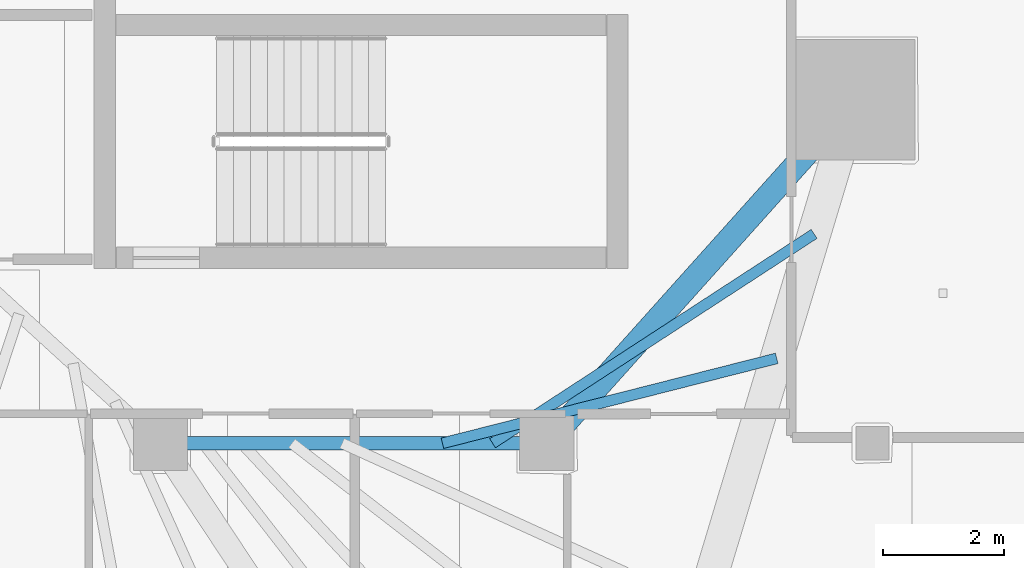
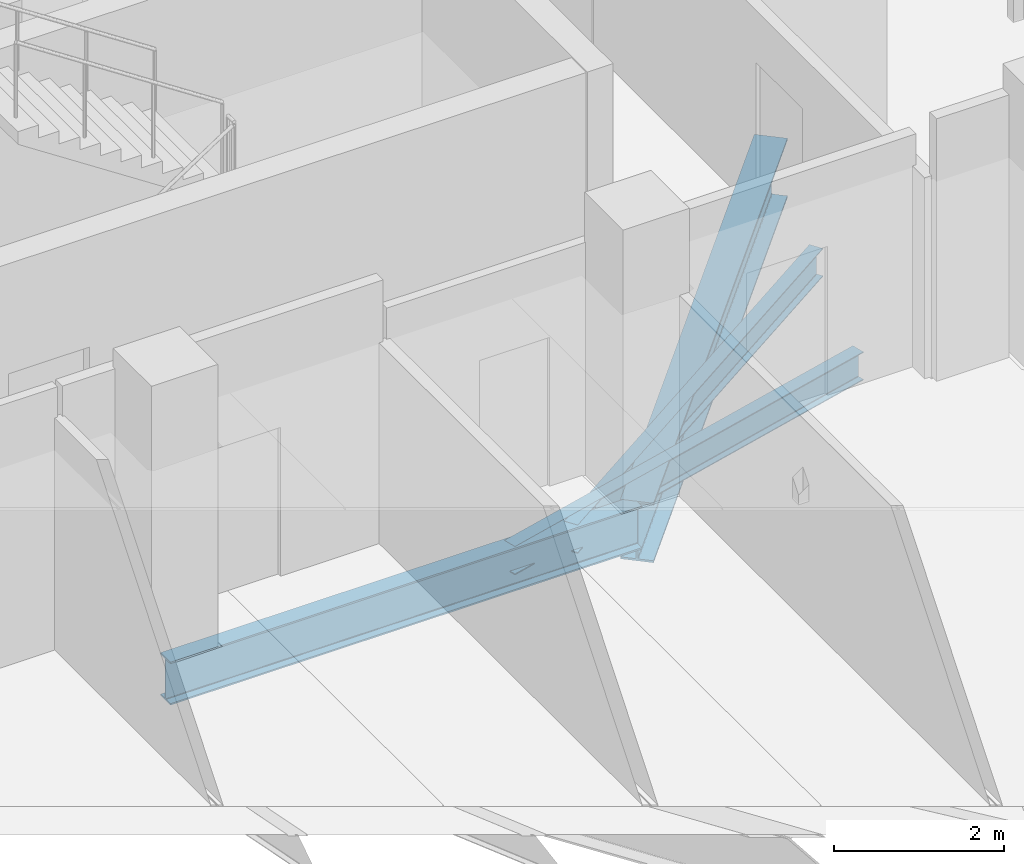
# One storey, part 12 of 37: 4 beams.
"""IFC4 building model written with IfcOpenShell, lengths in metres."""

from ifc_helpers import new_model, si_unit, direction, frame, origin, origin_2d, place, context, subcontext, project, spatial, i_section, extrude, material, material_profile, profile_set, type_object, element, save


model = new_model("IFC4")

# Units and contexts
model_context = context("Model", 3, precision=1e-05, world=origin(), true_north=direction((0.0, 1.0)))
body_context = subcontext(model_context, "Body", "Model", "MODEL_VIEW")
ifc_project = project(units=[si_unit("LENGTHUNIT", "METRE"), si_unit("AREAUNIT", "SQUARE_METRE"), si_unit("VOLUMEUNIT", "CUBIC_METRE"), si_unit("PLANEANGLEUNIT", "RADIAN"), si_unit("MASSUNIT", "GRAM", prefix="KILO")], contexts=[model_context])

# Site, building, storey
site_placement = place(None, origin())
site = spatial("IfcSite", under=ifc_project, at=site_placement, CompositionType="ELEMENT")
building_placement = place(site_placement, origin())
building = spatial("IfcBuilding", under=site, at=building_placement, Name="Qorvath Tower", CompositionType="ELEMENT")
storey_placement = place(building_placement, frame((0.0, 0.0, 188.85009765625)))
storey = spatial("IfcBuildingStorey", under=building, at=storey_placement, Name="L43", CompositionType="ELEMENT", Elevation=188.85009765625)

# Beams
ifc_material_1 = material(Name="Steel ASTM A992 Grade 50", Category="steel")
ifc_material_profile_1 = material_profile(ifc_material_1, i_section(OverallWidth=0.39892578125, OverallDepth=0.85498046875, WebThickness=0.018310546875, FlangeThickness=0.029296875, FilletRadius=0.02001953125, at=origin_2d()), Name="W33x201")
ifc_profile_set_1 = profile_set([ifc_material_profile_1], Name="Steel ASTM A992 Grade 50")
beam_type_1 = type_object("IfcBeamType", Name="BM-FG2", PredefinedType="BEAM", material=ifc_profile_set_1)
beam_1_placement = place(storey_placement, frame((-17.199951171875, -11.449951171875, -0.697509765625), z_axis=(0.667543184261, 0.744571082669, 0.0), x_axis=(-0.744571082669, 0.667543184261, 0.0)))
element("IfcBeam", 1, at=beam_1_placement, inside=storey, type_object=beam_type_1, Name="Radial Floor Girder CC3-MC4 L43", PredefinedType="BEAM", context=body_context, shape_type="SweptSolid", body=[
    extrude(i_section(OverallWidth=0.39892578125, OverallDepth=0.85498046875, WebThickness=0.018310546875, FlangeThickness=0.029296875, FilletRadius=0.02001953125, at=origin_2d()), origin(), (0.0, 0.0, 1.0), 7.644775390625),
])
ifc_material_2 = material(Name="Steel ASTM A992 Grade 50", Category="steel")
ifc_material_profile_2 = material_profile(ifc_material_2, i_section(OverallWidth=0.22998046875, OverallDepth=0.616943359375, WebThickness=0.01318359375, FlangeThickness=0.022216796875, FilletRadius=0.014892578125, at=origin_2d()), Name="W24x94")
ifc_profile_set_2 = profile_set([ifc_material_profile_2], Name="Steel ASTM A992 Grade 50")
beam_type_2 = type_object("IfcBeamType", Name="BM-FG6", PredefinedType="BEAM", material=ifc_profile_set_2)
beam_2_placement = place(storey_placement, frame((-17.199951171875, -11.449951171875, -0.57861328125), z_axis=(-1.0, 0.0, 0.0), x_axis=(0.0, -1.0, 0.0)))
element("IfcBeam", 2, at=beam_2_placement, inside=storey, type_object=beam_type_2, Name="Core Ring Girder CC3-CC4 L43", PredefinedType="BEAM", context=body_context, shape_type="SweptSolid", body=[
    extrude(i_section(OverallWidth=0.22998046875, OverallDepth=0.616943359375, WebThickness=0.01318359375, FlangeThickness=0.022216796875, FilletRadius=0.014892578125, at=origin_2d()), origin(), (0.0, 0.0, 1.0), 6.400146484375),
])
ifc_material_3 = material(Name="Steel ASTM A992 Grade 50", Category="steel")
ifc_material_profile_3 = material_profile(ifc_material_3, i_section(OverallWidth=0.177978515625, OverallDepth=0.406005859375, WebThickness=0.0078125, FlangeThickness=0.0126953125, FilletRadius=0.010986328125, at=origin_2d()), Name="W16x40")
ifc_profile_set_3 = profile_set([ifc_material_profile_3], Name="Steel ASTM A992 Grade 50")
beam_type_3 = type_object("IfcBeamType", Name="BM-FJ3", PredefinedType="JOIST", material=ifc_profile_set_3)
beam_3_placement = place(storey_placement, frame((-18.095947265625, -11.449951171875, -0.472900390625), z_axis=(0.838041756057, 0.545606098853, 0.0), x_axis=(-0.545606098853, 0.838041756057, 0.0)))
element("IfcBeam", 3, at=beam_3_placement, inside=storey, type_object=beam_type_3, Name="Composite Floor Joist SE1 L43", PredefinedType="JOIST", context=body_context, shape_type="SweptSolid", body=[
    extrude(i_section(OverallWidth=0.177978515625, OverallDepth=0.406005859375, WebThickness=0.0078125, FlangeThickness=0.0126953125, FilletRadius=0.010986328125, at=origin_2d()), origin(), (0.0, 0.0, 1.0), 6.36083984375),
])
beam_4_placement = place(storey_placement, frame((-18.927978515625, -11.449951171875, -0.472900390625), z_axis=(0.969231577698, 0.246150662794, 0.0), x_axis=(-0.246150662794, 0.969231577698, 0.0)))
element("IfcBeam", 4, at=beam_4_placement, inside=storey, type_object=beam_type_3, Name="Composite Floor Joist SE2 L43", PredefinedType="JOIST", context=body_context, shape_type="SweptSolid", body=[
    extrude(i_section(OverallWidth=0.177978515625, OverallDepth=0.406005859375, WebThickness=0.0078125, FlangeThickness=0.0126953125, FilletRadius=0.010986328125, at=origin_2d()), origin(), (0.0, 0.0, 1.0), 5.718017578125),
])

save(model, "model.ifc")
